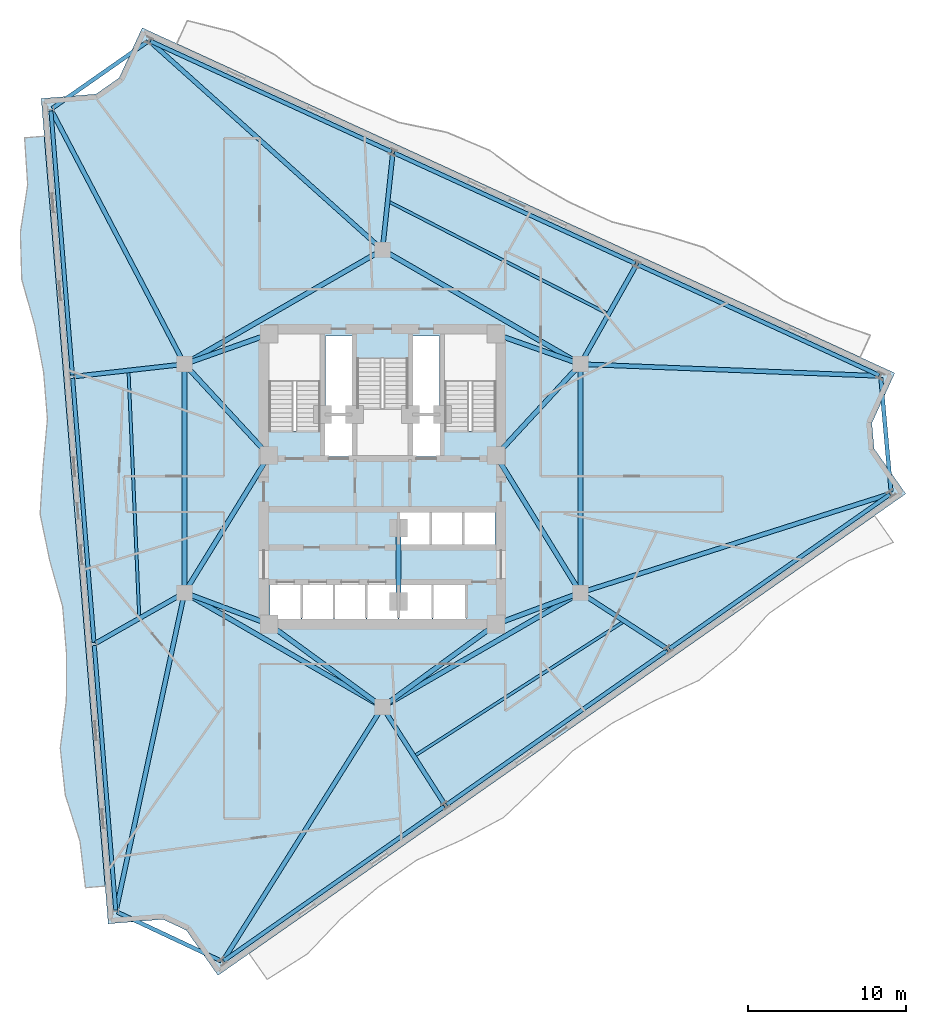
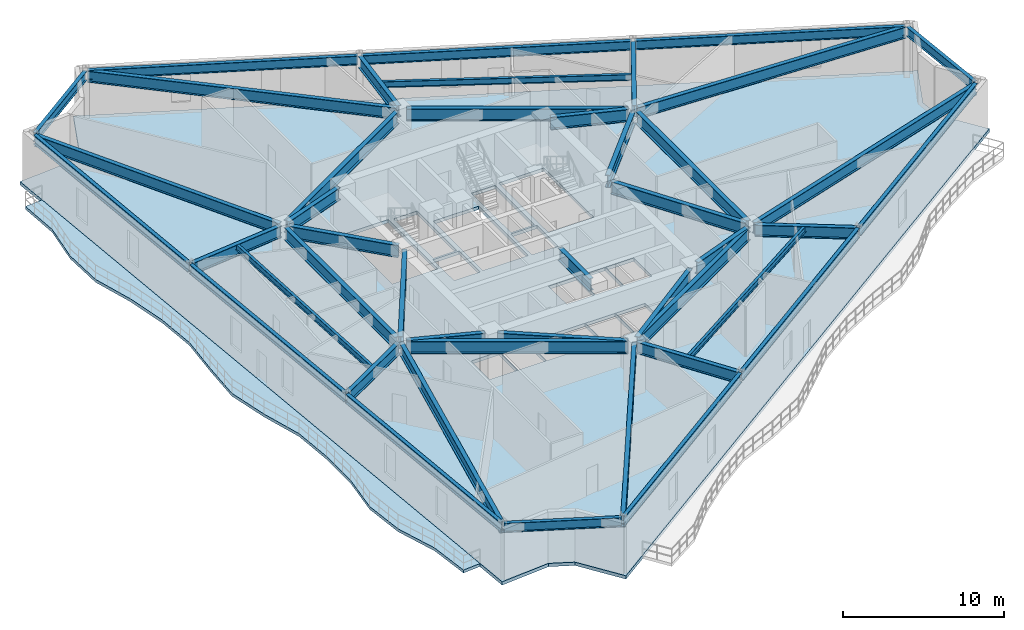
# One storey, part 3 of 12: 44 beams, 2 slabs.
"""IFC4 building model written with IfcOpenShell, lengths in metres."""

from ifc_helpers import new_model, si_unit, direction, frame, origin, origin_2d, place, context, subcontext, project, spatial, polyline, i_section, outline, extrude, material, layer, layer_set, material_profile, profile_set, type_object, element, save


model = new_model("IFC4")

# Units and contexts
model_context = context("Model", 3, precision=1e-05, world=origin(), true_north=direction((0.0, 1.0)))
body_context = subcontext(model_context, "Body", "Model", "MODEL_VIEW")
ifc_project = project(units=[si_unit("LENGTHUNIT", "METRE"), si_unit("AREAUNIT", "SQUARE_METRE"), si_unit("VOLUMEUNIT", "CUBIC_METRE"), si_unit("PLANEANGLEUNIT", "RADIAN"), si_unit("MASSUNIT", "GRAM", prefix="KILO")], contexts=[model_context])

# Site, building, storey
site_placement = place(None, origin())
site = spatial("IfcSite", under=ifc_project, at=site_placement, CompositionType="ELEMENT")
building_placement = place(site_placement, origin())
building = spatial("IfcBuilding", under=site, at=building_placement, Name="Apsidion Concourse Tower", CompositionType="ELEMENT")
storey_placement = place(building_placement, frame((0.0, 0.0, 198.300048828125)))
storey = spatial("IfcBuildingStorey", under=building, at=storey_placement, Name="L46", CompositionType="ELEMENT", Elevation=198.300048828125)

# Beams
ifc_material_1 = material(Name="Structural steel ASTM A992 Grade 50", Category="steel")
ifc_material_profile_1 = material_profile(ifc_material_1, i_section(OverallWidth=0.19091796875, OverallDepth=0.45703125, WebThickness=0.009033203125, FlangeThickness=0.014404296875, at=origin_2d()), Name="W18X50")
ifc_profile_set_1 = profile_set([ifc_material_profile_1], Name="Structural steel ASTM A992 Grade 50")
beam_type_1 = type_object("IfcBeamType", Name="BM-FL-W18", PredefinedType="BEAM", material=ifc_profile_set_1)
beam_1_placement = place(storey_placement, frame((-16.11181640625, 6.8505859375, 3.621337890625), z_axis=(0.043631006422, -0.999047714215, 0.0), x_axis=(0.999047714215, 0.043631006422, 0.0)))
element("IfcBeam", 1, at=beam_1_placement, inside=storey, type_object=beam_type_1, Name="L46 Secondary Floor Beam SEC-F1", PredefinedType="BEAM", context=body_context, shape_type="SweptSolid", body=[
    extrude(i_section(OverallWidth=0.19091796875, OverallDepth=0.45703125, WebThickness=0.009033203125, FlangeThickness=0.014404296875, at=origin_2d()), origin(), (0.0, 0.0, 1.0), 15.745849609375),
])
beam_2_placement = place(storey_placement, frame((1.998291015625, -17.62744140625, 3.621337890625), z_axis=(0.841372392943, 0.540455822796, 0.0), x_axis=(-0.540455822796, 0.841372392943, 0.0)))
element("IfcBeam", 2, at=beam_2_placement, inside=storey, type_object=beam_type_1, Name="L46 Secondary Floor Beam SEC-F2", PredefinedType="BEAM", context=body_context, shape_type="SweptSolid", body=[
    extrude(i_section(OverallWidth=0.19091796875, OverallDepth=0.45703125, WebThickness=0.009033203125, FlangeThickness=0.014404296875, at=origin_2d()), origin(), (0.0, 0.0, 1.0), 15.866943359375),
])
beam_3_placement = place(storey_placement, frame((14.345947265625, 10.4208984375, 3.621337890625), z_axis=(-0.89021964365, 0.455531542332, 0.0), x_axis=(-0.455531542332, -0.89021964365, 0.0)))
element("IfcBeam", 3, at=beam_3_placement, inside=storey, type_object=beam_type_1, Name="L46 Secondary Floor Beam SEC-F3", PredefinedType="BEAM", context=body_context, shape_type="SweptSolid", body=[
    extrude(i_section(OverallWidth=0.19091796875, OverallDepth=0.45703125, WebThickness=0.009033203125, FlangeThickness=0.014404296875, at=origin_2d()), origin(), (0.0, 0.0, 1.0), 15.742431640625),
])
ifc_material_profile_2 = material_profile(ifc_material_1, i_section(OverallWidth=0.2919921875, OverallDepth=0.85888671875, WebThickness=0.01708984375, FlangeThickness=0.031005859375, at=origin_2d()), Name="W33X169")
ifc_profile_set_2 = profile_set([ifc_material_profile_2], Name="Structural steel ASTM A992 Grade 50")
beam_type_2 = type_object("IfcBeamType", Name="BM-G-W33", PredefinedType="USERDEFINED", material=ifc_profile_set_2)
beam_4_placement = place(storey_placement, frame((-12.662109375, 7.44482421875, 3.42041015625), z_axis=(-0.464502454228, 0.885571832217, 0.0), x_axis=(-0.885571832217, -0.464502454228, 0.0)))
element("IfcBeam", 4, at=beam_4_placement, inside=storey, type_object=beam_type_2, Name="L46 Radial Floor Girder RAD-01", ObjectType="GIRDER", PredefinedType="USERDEFINED", context=body_context, shape_type="SweptSolid", body=[
    extrude(i_section(OverallWidth=0.2919921875, OverallDepth=0.85888671875, WebThickness=0.01708984375, FlangeThickness=0.031005859375, at=origin_2d()), origin(), (0.0, 0.0, 1.0), 17.93115234375),
])
beam_5_placement = place(storey_placement, frame((-12.778564453125, 7.225341796875, 3.42041015625), z_axis=(-0.993738563009, -0.111730337821, 0.0), x_axis=(0.111730337821, -0.993738563009, 0.0)))
element("IfcBeam", 5, at=beam_5_placement, inside=storey, type_object=beam_type_2, Name="L46 Radial Floor Girder RAD-02", ObjectType="GIRDER", PredefinedType="USERDEFINED", context=body_context, shape_type="SweptSolid", body=[
    extrude(i_section(OverallWidth=0.2919921875, OverallDepth=0.85888671875, WebThickness=0.01708984375, FlangeThickness=0.031005859375, at=origin_2d()), origin(), (0.0, 0.0, 1.0), 6.828369140625),
])
beam_6_placement = place(storey_placement, frame((-12.751220703125, -7.35888671875, 3.42041015625), z_axis=(-0.869137581248, -0.494570384134, 0.0), x_axis=(0.494570384134, -0.869137581248, 0.0)))
element("IfcBeam", 6, at=beam_6_placement, inside=storey, type_object=beam_type_2, Name="L46 Radial Floor Girder RAD-03", ObjectType="GIRDER", PredefinedType="USERDEFINED", context=body_context, shape_type="SweptSolid", body=[
    extrude(i_section(OverallWidth=0.2919921875, OverallDepth=0.85888671875, WebThickness=0.01708984375, FlangeThickness=0.031005859375, at=origin_2d()), origin(), (0.0, 0.0, 1.0), 6.272216796875),
])
beam_7_placement = place(storey_placement, frame((-12.606201171875, -7.465087890625, 3.42041015625), z_axis=(-0.210551493457, -0.97758276816, 0.0), x_axis=(0.97758276816, -0.210551493457, 0.0)))
element("IfcBeam", 7, at=beam_7_placement, inside=storey, type_object=beam_type_2, Name="L46 Radial Floor Girder RAD-04", ObjectType="GIRDER", PredefinedType="USERDEFINED", context=body_context, shape_type="SweptSolid", body=[
    extrude(i_section(OverallWidth=0.2919921875, OverallDepth=0.85888671875, WebThickness=0.01708984375, FlangeThickness=0.031005859375, at=origin_2d()), origin(), (0.0, 0.0, 1.0), 20.365966796875),
])
beam_8_placement = place(storey_placement, frame((-0.116943359375, -14.686279296875, 3.42041015625), z_axis=(-0.531745770751, -0.846904029562, 0.0), x_axis=(0.846904029562, -0.531745770751, 0.0)))
element("IfcBeam", 8, at=beam_8_placement, inside=storey, type_object=beam_type_2, Name="L46 Radial Floor Girder RAD-05", ObjectType="GIRDER", PredefinedType="USERDEFINED", context=body_context, shape_type="SweptSolid", body=[
    extrude(i_section(OverallWidth=0.2919921875, OverallDepth=0.85888671875, WebThickness=0.01708984375, FlangeThickness=0.031005859375, at=origin_2d()), origin(), (0.0, 0.0, 1.0), 18.7568359375),
])
beam_9_placement = place(storey_placement, frame((0.118408203125, -14.685302734375, 3.42041015625), z_axis=(0.538373682335, -0.842706222933, 0.0), x_axis=(0.842706222933, 0.538373682335, 0.0)))
element("IfcBeam", 9, at=beam_9_placement, inside=storey, type_object=beam_type_2, Name="L46 Radial Floor Girder RAD-06", ObjectType="GIRDER", PredefinedType="USERDEFINED", context=body_context, shape_type="SweptSolid", body=[
    extrude(i_section(OverallWidth=0.2919921875, OverallDepth=0.85888671875, WebThickness=0.01708984375, FlangeThickness=0.031005859375, at=origin_2d()), origin(), (0.0, 0.0, 1.0), 7.102783203125),
])
beam_10_placement = place(storey_placement, frame((12.744873046875, -7.369384765625, 3.42041015625), z_axis=(0.839870608356, -0.542786662714, 0.0), x_axis=(0.542786662714, 0.839870608356, 0.0)))
element("IfcBeam", 10, at=beam_10_placement, inside=storey, type_object=beam_type_2, Name="L46 Radial Floor Girder RAD-07", ObjectType="GIRDER", PredefinedType="USERDEFINED", context=body_context, shape_type="SweptSolid", body=[
    extrude(i_section(OverallWidth=0.2919921875, OverallDepth=0.85888671875, WebThickness=0.01708984375, FlangeThickness=0.031005859375, at=origin_2d()), origin(), (0.0, 0.0, 1.0), 6.319580078125),
])
beam_11_placement = place(storey_placement, frame((12.76953125, -7.18310546875, 3.42041015625), z_axis=(0.952593847726, 0.304244903449, 0.0), x_axis=(-0.304244903449, 0.952593847726, 0.0)))
element("IfcBeam", 11, at=beam_11_placement, inside=storey, type_object=beam_type_2, Name="L46 Radial Floor Girder RAD-08", ObjectType="GIRDER", PredefinedType="USERDEFINED", context=body_context, shape_type="SweptSolid", body=[
    extrude(i_section(OverallWidth=0.2919921875, OverallDepth=0.85888671875, WebThickness=0.01708984375, FlangeThickness=0.031005859375, at=origin_2d()), origin(), (0.0, 0.0, 1.0), 20.378173828125),
])
beam_12_placement = place(storey_placement, frame((12.77978515625, 7.2412109375, 3.42041015625), z_axis=(0.999223835847, -0.039391951902, 0.0), x_axis=(0.039391951902, 0.999223835847, 0.0)))
element("IfcBeam", 12, at=beam_12_placement, inside=storey, type_object=beam_type_2, Name="L46 Radial Floor Girder RAD-09", ObjectType="GIRDER", PredefinedType="USERDEFINED", context=body_context, shape_type="SweptSolid", body=[
    extrude(i_section(OverallWidth=0.2919921875, OverallDepth=0.85888671875, WebThickness=0.01708984375, FlangeThickness=0.031005859375, at=origin_2d()), origin(), (0.0, 0.0, 1.0), 18.73583984375),
])
beam_13_placement = place(storey_placement, frame((12.66796875, 7.441650390625, 3.42041015625), z_axis=(0.4907642116, 0.871292424283, 0.0), x_axis=(-0.871292424283, 0.4907642116, 0.0)))
element("IfcBeam", 13, at=beam_13_placement, inside=storey, type_object=beam_type_2, Name="L46 Radial Floor Girder RAD-10", ObjectType="GIRDER", PredefinedType="USERDEFINED", context=body_context, shape_type="SweptSolid", body=[
    extrude(i_section(OverallWidth=0.2919921875, OverallDepth=0.85888671875, WebThickness=0.01708984375, FlangeThickness=0.031005859375, at=origin_2d()), origin(), (0.0, 0.0, 1.0), 6.95849609375),
])
beam_14_placement = place(storey_placement, frame((0.0234375, 14.71875, 3.42041015625), z_axis=(0.106642710953, 0.994297406313, 0.0), x_axis=(-0.994297406313, 0.106642710953, 0.0)))
element("IfcBeam", 14, at=beam_14_placement, inside=storey, type_object=beam_type_2, Name="L46 Radial Floor Girder RAD-11", ObjectType="GIRDER", PredefinedType="USERDEFINED", context=body_context, shape_type="SweptSolid", body=[
    extrude(i_section(OverallWidth=0.2919921875, OverallDepth=0.85888671875, WebThickness=0.01708984375, FlangeThickness=0.031005859375, at=origin_2d()), origin(), (0.0, 0.0, 1.0), 5.899658203125),
])
beam_15_placement = place(storey_placement, frame((-0.163818359375, 14.64697265625, 3.42041015625), z_axis=(-0.74450463884, 0.667617287632, 0.0), x_axis=(-0.667617287632, -0.74450463884, 0.0)))
element("IfcBeam", 15, at=beam_15_placement, inside=storey, type_object=beam_type_2, Name="L46 Radial Floor Girder RAD-12", ObjectType="GIRDER", PredefinedType="USERDEFINED", context=body_context, shape_type="SweptSolid", body=[
    extrude(i_section(OverallWidth=0.2919921875, OverallDepth=0.85888671875, WebThickness=0.01708984375, FlangeThickness=0.031005859375, at=origin_2d()), origin(), (0.0, 0.0, 1.0), 19.566162109375),
])
ifc_material_profile_3 = material_profile(ifc_material_1, i_section(OverallWidth=0.31005859375, OverallDepth=0.931884765625, WebThickness=0.02099609375, FlangeThickness=0.034423828125, at=origin_2d()), Name="W36X210")
ifc_profile_set_3 = profile_set([ifc_material_profile_3], Name="Structural steel ASTM A992 Grade 50")
beam_type_3 = type_object("IfcBeamType", Name="BM-G-W36", PredefinedType="USERDEFINED", material=ifc_profile_set_3)
beam_16_placement = place(storey_placement, frame((-12.185302734375, -7.389892578125, 3.384033203125), z_axis=(0.936913021145, -0.349562570664, 0.0), x_axis=(0.349562570664, 0.936913021145, 0.0)))
element("IfcBeam", 16, at=beam_16_placement, inside=storey, type_object=beam_type_3, Name="L46 Core Coupling Girder IC1-SC1", ObjectType="GIRDER", PredefinedType="USERDEFINED", context=body_context, shape_type="SweptSolid", body=[
    extrude(i_section(OverallWidth=0.31005859375, OverallDepth=0.931884765625, WebThickness=0.02099609375, FlangeThickness=0.034423828125, at=origin_2d()), origin(), (0.0, 0.0, 1.0), 4.921142578125),
])
beam_17_placement = place(storey_placement, frame((-12.35009765625, -6.909423828125, 3.384033203125), z_axis=(0.524524009763, 0.851395656074, 0.0), x_axis=(-0.851395656074, 0.524524009763, 0.0)))
element("IfcBeam", 17, at=beam_17_placement, inside=storey, type_object=beam_type_3, Name="L46 Core Coupling Girder IC1-SC6", ObjectType="GIRDER", PredefinedType="USERDEFINED", context=body_context, shape_type="SweptSolid", body=[
    extrude(i_section(OverallWidth=0.31005859375, OverallDepth=0.931884765625, WebThickness=0.02099609375, FlangeThickness=0.034423828125, at=origin_2d()), origin(), (0.0, 0.0, 1.0), 9.41845703125),
])
beam_18_placement = place(storey_placement, frame((12.185302734375, -7.389892578125, 3.384033203125), z_axis=(-0.936913021145, -0.349562570664, 0.0), x_axis=(0.349562570664, -0.936913021145, 0.0)))
element("IfcBeam", 18, at=beam_18_placement, inside=storey, type_object=beam_type_3, Name="L46 Core Coupling Girder IC2-SC2", ObjectType="GIRDER", PredefinedType="USERDEFINED", context=body_context, shape_type="SweptSolid", body=[
    extrude(i_section(OverallWidth=0.31005859375, OverallDepth=0.931884765625, WebThickness=0.02099609375, FlangeThickness=0.034423828125, at=origin_2d()), origin(), (0.0, 0.0, 1.0), 4.921142578125),
])
beam_19_placement = place(storey_placement, frame((12.35009765625, -6.909423828125, 3.384033203125), z_axis=(-0.524524009763, 0.851395656074, 0.0), x_axis=(-0.851395656074, -0.524524009763, 0.0)))
element("IfcBeam", 19, at=beam_19_placement, inside=storey, type_object=beam_type_3, Name="L46 Core Coupling Girder IC2-SC3", ObjectType="GIRDER", PredefinedType="USERDEFINED", context=body_context, shape_type="SweptSolid", body=[
    extrude(i_section(OverallWidth=0.31005859375, OverallDepth=0.931884765625, WebThickness=0.02099609375, FlangeThickness=0.034423828125, at=origin_2d()), origin(), (0.0, 0.0, 1.0), 9.41845703125),
])
beam_20_placement = place(storey_placement, frame((12.28857421875, 6.956298828125, 3.384033203125), z_axis=(-0.678712876106, -0.73440372535, 0.0), x_axis=(0.73440372535, -0.678712876106, 0.0)))
element("IfcBeam", 20, at=beam_20_placement, inside=storey, type_object=beam_type_3, Name="L46 Core Coupling Girder IC3-SC3", ObjectType="GIRDER", PredefinedType="USERDEFINED", context=body_context, shape_type="SweptSolid", body=[
    extrude(i_section(OverallWidth=0.31005859375, OverallDepth=0.931884765625, WebThickness=0.02099609375, FlangeThickness=0.034423828125, at=origin_2d()), origin(), (0.0, 0.0, 1.0), 7.097412109375),
])
beam_21_placement = place(storey_placement, frame((12.18310546875, 7.383544921875, 3.384033203125), z_axis=(-0.942533844539, 0.334110688094, 0.0), x_axis=(-0.334110688094, -0.942533844539, 0.0)))
element("IfcBeam", 21, at=beam_21_placement, inside=storey, type_object=beam_type_3, Name="L46 Core Coupling Girder IC3-SC4", ObjectType="GIRDER", PredefinedType="USERDEFINED", context=body_context, shape_type="SweptSolid", body=[
    extrude(i_section(OverallWidth=0.31005859375, OverallDepth=0.931884765625, WebThickness=0.02099609375, FlangeThickness=0.034423828125, at=origin_2d()), origin(), (0.0, 0.0, 1.0), 4.886962890625),
])
beam_22_placement = place(storey_placement, frame((-12.28857421875, 6.956298828125, 3.384033203125), z_axis=(0.678712876106, -0.73440372535, 0.0), x_axis=(0.73440372535, 0.678712876106, 0.0)))
element("IfcBeam", 22, at=beam_22_placement, inside=storey, type_object=beam_type_3, Name="L46 Core Coupling Girder IC5-SC6", ObjectType="GIRDER", PredefinedType="USERDEFINED", context=body_context, shape_type="SweptSolid", body=[
    extrude(i_section(OverallWidth=0.31005859375, OverallDepth=0.931884765625, WebThickness=0.02099609375, FlangeThickness=0.034423828125, at=origin_2d()), origin(), (0.0, 0.0, 1.0), 7.097412109375),
])
beam_23_placement = place(storey_placement, frame((-12.18310546875, 7.383544921875, 3.384033203125), z_axis=(0.942533844539, 0.334110688094, 0.0), x_axis=(-0.334110688094, 0.942533844539, 0.0)))
element("IfcBeam", 23, at=beam_23_placement, inside=storey, type_object=beam_type_3, Name="L46 Core Coupling Girder IC5-SC5", ObjectType="GIRDER", PredefinedType="USERDEFINED", context=body_context, shape_type="SweptSolid", body=[
    extrude(i_section(OverallWidth=0.31005859375, OverallDepth=0.931884765625, WebThickness=0.02099609375, FlangeThickness=0.034423828125, at=origin_2d()), origin(), (0.0, 0.0, 1.0), 4.886962890625),
])
for number, where, z_axis, x_axis, name in (
    (24, (-0.3232421875, -14.264404296875, 3.384033203125), (-0.807993498909, 0.589191399905, 0.0), (-0.589191399905, -0.807993498909, 0.0), "L46 Core Coupling Girder IC6-SC1"),
    (25, (0.3232421875, -14.264404296875, 3.384033203125), (0.807993498909, 0.589191399905, 0.0), (-0.589191399905, 0.807993498909, 0.0), "L46 Core Coupling Girder IC6-SC2"),
):
    element("IfcBeam", number, at=place(storey_placement, frame(where, z_axis=z_axis, x_axis=x_axis)), inside=storey, type_object=beam_type_3, Name=name, ObjectType="GIRDER", PredefinedType="USERDEFINED", context=body_context, shape_type="SweptSolid", body=[
        extrude(i_section(OverallWidth=0.31005859375, OverallDepth=0.931884765625, WebThickness=0.02099609375, FlangeThickness=0.034423828125, at=origin_2d()), origin(), (0.0, 0.0, 1.0), 8.11083984375),
    ])
beam_24_placement = place(storey_placement, frame((-12.56005859375, -6.85009765625, 3.384033203125), z_axis=(0.0, 1.0, 0.0), x_axis=(-1.0, 0.0, 0.0)))
element("IfcBeam", 26, at=beam_24_placement, inside=storey, type_object=beam_type_3, Name="L46 Core Coupling Girder IC1-IC5", ObjectType="GIRDER", PredefinedType="USERDEFINED", context=body_context, shape_type="SweptSolid", body=[
    extrude(i_section(OverallWidth=0.31005859375, OverallDepth=0.931884765625, WebThickness=0.02099609375, FlangeThickness=0.034423828125, at=origin_2d()), origin(), (0.0, 0.0, 1.0), 13.7001953125),
])
for number, where, z_axis, x_axis, name in (
    (27, (-12.213623046875, 7.449951171875, 3.384033203125), (0.866070471464, 0.499921932364, 0.0), (-0.499921932364, 0.866070471464, 0.0), "L46 Core Coupling Girder IC5-IC4"),
    (28, (0.346435546875, 14.300048828125, 3.384033203125), (0.866070471464, -0.499921932364, 0.0), (0.499921932364, 0.866070471464, 0.0), "L46 Core Coupling Girder IC4-IC3"),
):
    element("IfcBeam", number, at=place(storey_placement, frame(where, z_axis=z_axis, x_axis=x_axis)), inside=storey, type_object=beam_type_3, Name=name, ObjectType="GIRDER", PredefinedType="USERDEFINED", context=body_context, shape_type="SweptSolid", body=[
        extrude(i_section(OverallWidth=0.31005859375, OverallDepth=0.931884765625, WebThickness=0.02099609375, FlangeThickness=0.034423828125, at=origin_2d()), origin(), (0.0, 0.0, 1.0), 13.702392578125),
    ])
beam_25_placement = place(storey_placement, frame((12.56005859375, 6.85009765625, 3.384033203125), z_axis=(0.0, -1.0, 0.0), x_axis=(1.0, 0.0, 0.0)))
element("IfcBeam", 29, at=beam_25_placement, inside=storey, type_object=beam_type_3, Name="L46 Core Coupling Girder IC3-IC2", ObjectType="GIRDER", PredefinedType="USERDEFINED", context=body_context, shape_type="SweptSolid", body=[
    extrude(i_section(OverallWidth=0.31005859375, OverallDepth=0.931884765625, WebThickness=0.02099609375, FlangeThickness=0.034423828125, at=origin_2d()), origin(), (0.0, 0.0, 1.0), 13.7001953125),
])
for number, where, z_axis, x_axis, name in (
    (30, (12.213623046875, -7.449951171875, 3.384033203125), (-0.866070471464, -0.499921932364, 0.0), (0.499921932364, -0.866070471464, 0.0), "L46 Core Coupling Girder IC2-IC6"),
    (31, (-0.346435546875, -14.300048828125, 3.384033203125), (-0.866070471464, 0.499921932364, 0.0), (-0.499921932364, -0.866070471464, 0.0), "L46 Core Coupling Girder IC6-IC1"),
):
    element("IfcBeam", number, at=place(storey_placement, frame(where, z_axis=z_axis, x_axis=x_axis)), inside=storey, type_object=beam_type_3, Name=name, ObjectType="GIRDER", PredefinedType="USERDEFINED", context=body_context, shape_type="SweptSolid", body=[
        extrude(i_section(OverallWidth=0.31005859375, OverallDepth=0.931884765625, WebThickness=0.02099609375, FlangeThickness=0.034423828125, at=origin_2d()), origin(), (0.0, 0.0, 1.0), 13.702392578125),
    ])
beam_26_placement = place(storey_placement, frame((1.02490234375, -3.550048828125, 3.384033203125), z_axis=(0.0, -1.0, 0.0), x_axis=(1.0, 0.0, 0.0)))
element("IfcBeam", 32, at=beam_26_placement, inside=storey, type_object=beam_type_3, Name="L46 Core Coupling Girder CC5-CC6", ObjectType="GIRDER", PredefinedType="USERDEFINED", context=body_context, shape_type="SweptSolid", body=[
    extrude(i_section(OverallWidth=0.31005859375, OverallDepth=0.931884765625, WebThickness=0.02099609375, FlangeThickness=0.034423828125, at=origin_2d()), origin(), (0.0, 0.0, 1.0), 3.849853515625),
])
ifc_material_profile_4 = material_profile(ifc_material_1, i_section(OverallWidth=0.256103515625, OverallDepth=0.693115234375, WebThickness=0.014404296875, FlangeThickness=0.023681640625, at=origin_2d()), Name="W27X114")
ifc_profile_set_4 = profile_set([ifc_material_profile_4], Name="Structural steel ASTM A992 Grade 50")
beam_type_4 = type_object("IfcBeamType", Name="BM-SP-W27", PredefinedType="SPANDREL", material=ifc_profile_set_4)
for number, where, z_axis, x_axis, name in (
    (33, (-21.029541015625, 23.31298828125, 3.50341796875), (0.080745704709, -0.996734734607, 0.0), (0.996734734607, 0.080745704709, 0.0), "L46 Perimeter Spandrel Girder SP-01"),
    (34, (-19.655517578125, 6.351318359375, 3.50341796875), (0.080745704709, -0.996734734607, 0.0), (0.996734734607, 0.080745704709, 0.0), "L46 Perimeter Spandrel Girder SP-02"),
):
    element("IfcBeam", number, at=place(storey_placement, frame(where, z_axis=z_axis, x_axis=x_axis)), inside=storey, type_object=beam_type_4, Name=name, PredefinedType="SPANDREL", context=body_context, shape_type="SweptSolid", body=[
        extrude(i_section(OverallWidth=0.256103515625, OverallDepth=0.693115234375, WebThickness=0.014404296875, FlangeThickness=0.023681640625, at=origin_2d()), origin(), (0.0, 0.0, 1.0), 16.817138671875),
    ])
beam_27_placement = place(storey_placement, frame((-18.281494140625, -10.610107421875, 3.50341796875), z_axis=(0.080744536336, -0.996734829256, 0.0), x_axis=(0.996734829256, 0.080744536336, 0.0)))
element("IfcBeam", 35, at=beam_27_placement, inside=storey, type_object=beam_type_4, Name="L46 Perimeter Spandrel Girder SP-03", PredefinedType="SPANDREL", context=body_context, shape_type="SweptSolid", body=[
    extrude(i_section(OverallWidth=0.256103515625, OverallDepth=0.693115234375, WebThickness=0.014404296875, FlangeThickness=0.023681640625, at=origin_2d()), origin(), (0.0, 0.0, 1.0), 16.8173828125),
])
beam_28_placement = place(storey_placement, frame((-16.824951171875, -27.514892578125, 3.50341796875), z_axis=(0.904961486734, -0.425493487057, 0.0), x_axis=(0.425493487057, 0.904961486734, 0.0)))
element("IfcBeam", 36, at=beam_28_placement, inside=storey, type_object=beam_type_4, Name="L46 Perimeter Spandrel Girder SP-04", PredefinedType="SPANDREL", context=body_context, shape_type="SweptSolid", body=[
    extrude(i_section(OverallWidth=0.256103515625, OverallDepth=0.693115234375, WebThickness=0.014404296875, FlangeThickness=0.023681640625, at=origin_2d()), origin(), (0.0, 0.0, 1.0), 7.282470703125),
])
beam_29_placement = place(storey_placement, frame((-10.06201171875, -30.598876953125, 3.50341796875), z_axis=(0.819150571533, 0.573578539659, 0.0), x_axis=(-0.573578539659, 0.819150571533, 0.0)))
element("IfcBeam", 37, at=beam_29_placement, inside=storey, type_object=beam_type_4, Name="L46 Perimeter Spandrel Girder SP-05", PredefinedType="SPANDREL", context=body_context, shape_type="SweptSolid", body=[
    extrude(i_section(OverallWidth=0.256103515625, OverallDepth=0.693115234375, WebThickness=0.014404296875, FlangeThickness=0.023681640625, at=origin_2d()), origin(), (0.0, 0.0, 1.0), 17.06201171875),
])
beam_30_placement = place(storey_placement, frame((4.078125, -20.69775390625, 3.50341796875), z_axis=(0.81915527902, 0.573571816649, 0.0), x_axis=(-0.573571816649, 0.81915527902, 0.0)))
element("IfcBeam", 38, at=beam_30_placement, inside=storey, type_object=beam_type_4, Name="L46 Perimeter Spandrel Girder SP-06", PredefinedType="SPANDREL", context=body_context, shape_type="SweptSolid", body=[
    extrude(i_section(OverallWidth=0.256103515625, OverallDepth=0.693115234375, WebThickness=0.014404296875, FlangeThickness=0.023681640625, at=origin_2d()), origin(), (0.0, 0.0, 1.0), 17.062255859375),
])
beam_31_placement = place(storey_placement, frame((18.218505859375, -10.79638671875, 3.50341796875), z_axis=(0.81916200197, 0.573562215046, 0.0), x_axis=(-0.573562215046, 0.81916200197, 0.0)))
element("IfcBeam", 39, at=beam_31_placement, inside=storey, type_object=beam_type_4, Name="L46 Perimeter Spandrel Girder SP-07", PredefinedType="SPANDREL", context=body_context, shape_type="SweptSolid", body=[
    extrude(i_section(OverallWidth=0.256103515625, OverallDepth=0.693115234375, WebThickness=0.014404296875, FlangeThickness=0.023681640625, at=origin_2d()), origin(), (0.0, 0.0, 1.0), 17.06201171875),
])
beam_32_placement = place(storey_placement, frame((32.267822265625, -0.853271484375, 3.50341796875), z_axis=(-0.090345320994, 0.99591049948, 0.0), x_axis=(-0.99591049948, -0.090345320994, 0.0)))
element("IfcBeam", 40, at=beam_32_placement, inside=storey, type_object=beam_type_4, Name="L46 Perimeter Spandrel Girder SP-08", PredefinedType="SPANDREL", context=body_context, shape_type="SweptSolid", body=[
    extrude(i_section(OverallWidth=0.256103515625, OverallDepth=0.693115234375, WebThickness=0.014404296875, FlangeThickness=0.023681640625, at=origin_2d()), origin(), (0.0, 0.0, 1.0), 7.28271484375),
])
beam_33_placement = place(storey_placement, frame((31.510009765625, 6.541015625, 3.50341796875), z_axis=(-0.909009828689, 0.416774676949, 0.0), x_axis=(-0.416774676949, -0.909009828689, 0.0)))
element("IfcBeam", 41, at=beam_33_placement, inside=storey, type_object=beam_type_4, Name="L46 Perimeter Spandrel Girder SP-09", PredefinedType="SPANDREL", context=body_context, shape_type="SweptSolid", body=[
    extrude(i_section(OverallWidth=0.256103515625, OverallDepth=0.693115234375, WebThickness=0.014404296875, FlangeThickness=0.023681640625, at=origin_2d()), origin(), (0.0, 0.0, 1.0), 16.8173828125),
])
beam_34_placement = place(storey_placement, frame((16.041015625, 13.63330078125, 3.50341796875), z_axis=(-0.909007306983, 0.416780176893, 0.0), x_axis=(-0.416780176893, -0.909007306983, 0.0)))
element("IfcBeam", 42, at=beam_34_placement, inside=storey, type_object=beam_type_4, Name="L46 Perimeter Spandrel Girder SP-10", PredefinedType="SPANDREL", context=body_context, shape_type="SweptSolid", body=[
    extrude(i_section(OverallWidth=0.256103515625, OverallDepth=0.693115234375, WebThickness=0.014404296875, FlangeThickness=0.023681640625, at=origin_2d()), origin(), (0.0, 0.0, 1.0), 16.817138671875),
])
beam_35_placement = place(storey_placement, frame((0.572509765625, 20.725830078125, 3.50341796875), z_axis=(-0.909009828689, 0.416774676949, 0.0), x_axis=(-0.416774676949, -0.909009828689, 0.0)))
element("IfcBeam", 43, at=beam_35_placement, inside=storey, type_object=beam_type_4, Name="L46 Perimeter Spandrel Girder SP-11", PredefinedType="SPANDREL", context=body_context, shape_type="SweptSolid", body=[
    extrude(i_section(OverallWidth=0.256103515625, OverallDepth=0.693115234375, WebThickness=0.014404296875, FlangeThickness=0.023681640625, at=origin_2d()), origin(), (0.0, 0.0, 1.0), 16.8173828125),
])
beam_36_placement = place(storey_placement, frame((-14.887451171875, 27.71923828125, 3.50341796875), z_axis=(-0.819157596458, -0.57356850695, 0.0), x_axis=(0.57356850695, -0.819157596458, 0.0)))
element("IfcBeam", 44, at=beam_36_placement, inside=storey, type_object=beam_type_4, Name="L46 Perimeter Spandrel Girder SP-12", PredefinedType="SPANDREL", context=body_context, shape_type="SweptSolid", body=[
    extrude(i_section(OverallWidth=0.256103515625, OverallDepth=0.693115234375, WebThickness=0.014404296875, FlangeThickness=0.023681640625, at=origin_2d()), origin(), (0.0, 0.0, 1.0), 7.407958984375),
])

# Slabs
ifc_material_2 = material(Name="Concrete C50/60", Category="concrete")
ifc_layer_1 = layer(ifc_material_2, 0.219970703125)
ifc_layer_set_1 = layer_set([ifc_layer_1], Name="Concrete C50/60")
slab_type_1 = type_object("IfcSlabType", Name="SL-BAL-220", PredefinedType="FLOOR", material=ifc_layer_set_1)
slab_1_placement = place(storey_placement, frame((0.0, 0.0, -0.219970703125)))
element("IfcSlab", 45, at=slab_1_placement, inside=storey, type_object=slab_type_1, Name="L46 Face 1 Rippling Balcony Slab", PredefinedType="FLOOR", context=body_context, shape_type="SweptSolid", body=[
    extrude(outline(polyline([(-21.455810546875, 21.7080078125), (-21.21435546875, 18.73486328125), (-20.972900390625, 15.76171875), (-20.7314453125, 12.788330078125), (-20.489990234375, 9.815185546875), (-20.248779296875, 6.842041015625), (-20.00732421875, 3.868896484375), (-19.765869140625, 0.8955078125), (-19.5244140625, -2.07763671875), (-19.283203125, -5.05078125), (-19.041748046875, -8.024169921875), (-18.80029296875, -10.997314453125), (-18.558837890625, -13.970458984375), (-18.3173828125, -16.943603515625), (-18.075927734375, -19.9169921875), (-17.834716796875, -22.89013671875), (-17.59326171875, -25.86328125), (-18.839111328125, -25.96435546875), (-19.19287109375, -23.000244140625), (-20.119873046875, -20.082763671875), (-20.437255859375, -17.11572265625), (-20.052001953125, -14.091796875), (-20.046142578125, -11.098388671875), (-20.28759765625, -8.125244140625), (-21.111572265625, -5.19921875), (-21.71630859375, -2.255615234375), (-21.530517578125, 0.752197265625), (-21.253173828125, 3.767578125), (-21.49462890625, 6.74072265625), (-22.052490234375, 9.688232421875), (-22.8798828125, 12.614013671875), (-22.9697265625, 15.599365234375), (-22.50732421875, 18.6298828125), (-22.70166015625, 21.606689453125), (-21.455810546875, 21.7080078125)])), origin(), (0.0, 0.0, 1.0), 0.219970703125),
])
ifc_layer_2 = layer(ifc_material_2, 0.25)
ifc_layer_set_2 = layer_set([ifc_layer_2], Name="Concrete C50/60")
slab_type_2 = type_object("IfcSlabType", Name="SL-FLR-250", PredefinedType="FLOOR", material=ifc_layer_set_2)
slab_2_placement = place(storey_placement, frame((0.0, 0.0, -0.25)))
element("IfcSlab", 46, at=slab_2_placement, inside=storey, type_object=slab_type_2, Name="L46 Structural Floor Slab", PredefinedType="FLOOR", context=body_context, shape_type="SweptSolid", body=[
    extrude(outline(polyline([(-15.241943359375, 28.5869140625), (-16.6982421875, 25.41259765625), (-18.1689453125, 24.3828125), (-21.64990234375, 24.10009765625), (-17.39892578125, -28.25537109375), (-13.91796875, -27.972900390625), (-12.436279296875, -28.669189453125), (-10.43310546875, -31.530029296875), (33.197021484375, -0.97998046875), (31.19384765625, 1.880859375), (31.0458984375, 3.51123046875), (32.502197265625, 6.685791015625), (-15.241943359375, 28.5869140625)]), holes=[polyline([(-3.949951171875, 3.0), (-3.949951171875, 9.14990234375), (-7.199951171875, 9.14990234375), (-7.199951171875, 3.0), (-3.949951171875, 3.0)]), polyline([(7.199951171875, 3.0), (7.199951171875, 9.14990234375), (3.949951171875, 9.14990234375), (3.949951171875, 3.0), (7.199951171875, 3.0)]), polyline([(-1.625, 7.60009765625), (-1.625, 1.449951171875), (1.625, 1.449951171875), (1.625, 7.60009765625), (-1.625, 7.60009765625)]), polyline([(1.054931640625, -4.300048828125), (3.044921875, -4.300048828125), (3.044921875, -2.050048828125), (1.054931640625, -2.050048828125), (1.054931640625, -4.300048828125)]), polyline([(3.10498046875, -4.300048828125), (5.094970703125, -4.300048828125), (5.094970703125, -2.050048828125), (3.10498046875, -2.050048828125), (3.10498046875, -4.300048828125)]), polyline([(5.155029296875, -4.300048828125), (7.14501953125, -4.300048828125), (7.14501953125, -2.050048828125), (5.155029296875, -2.050048828125), (5.155029296875, -4.300048828125)]), polyline([(-7.14501953125, -8.949951171875), (-5.155029296875, -8.949951171875), (-5.155029296875, -6.64990234375), (-7.14501953125, -6.64990234375), (-7.14501953125, -8.949951171875)]), polyline([(-5.094970703125, -8.949951171875), (-3.10498046875, -8.949951171875), (-3.10498046875, -6.64990234375), (-5.094970703125, -6.64990234375), (-5.094970703125, -8.949951171875)]), polyline([(-3.044921875, -8.949951171875), (-1.054931640625, -8.949951171875), (-1.054931640625, -6.64990234375), (-3.044921875, -6.64990234375), (-3.044921875, -8.949951171875)]), polyline([(-0.9951171875, -8.949951171875), (0.9951171875, -8.949951171875), (0.9951171875, -6.64990234375), (-0.9951171875, -6.64990234375), (-0.9951171875, -8.949951171875)]), polyline([(1.044921875, -9.0), (3.155029296875, -9.0), (3.155029296875, -6.64990234375), (1.044921875, -6.64990234375), (1.044921875, -9.0)]), polyline([(3.195068359375, -9.0), (5.304931640625, -9.0), (5.304931640625, -6.64990234375), (3.195068359375, -6.64990234375), (3.195068359375, -9.0)]), polyline([(-3.7099609375, 1.39990234375), (-1.85009765625, 1.39990234375), (-1.85009765625, 4.0), (-3.7099609375, 4.0), (-3.7099609375, 1.39990234375)]), polyline([(1.85009765625, 1.39990234375), (3.7099609375, 1.39990234375), (3.7099609375, 4.0), (1.85009765625, 4.0), (1.85009765625, 1.39990234375)]), polyline([(-3.6201171875, 4.14990234375), (-1.93994140625, 4.14990234375), (-1.93994140625, 9.050048828125), (-3.6201171875, 9.050048828125), (-3.6201171875, 4.14990234375)]), polyline([(1.93994140625, 4.14990234375), (3.6201171875, 4.14990234375), (3.6201171875, 9.050048828125), (1.93994140625, 9.050048828125), (1.93994140625, 4.14990234375)])]), origin(), (0.0, 0.0, 1.0), 0.25),
])

save(model, "model.ifc")
